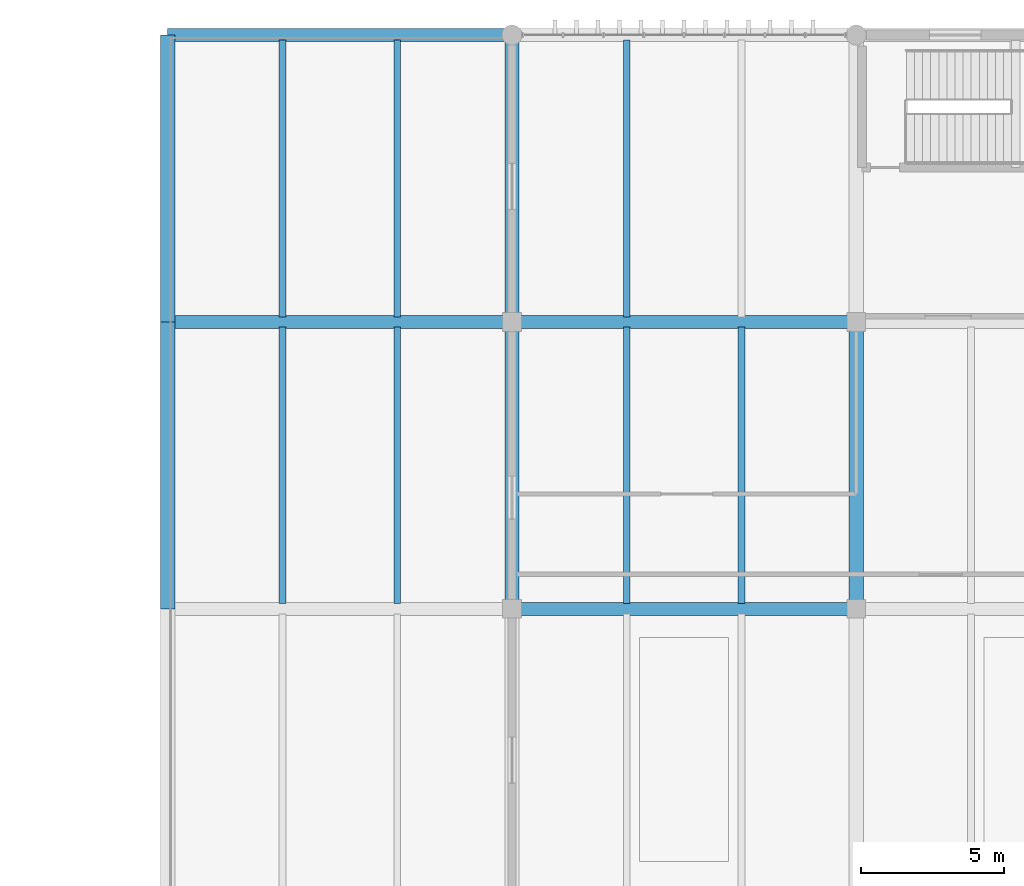
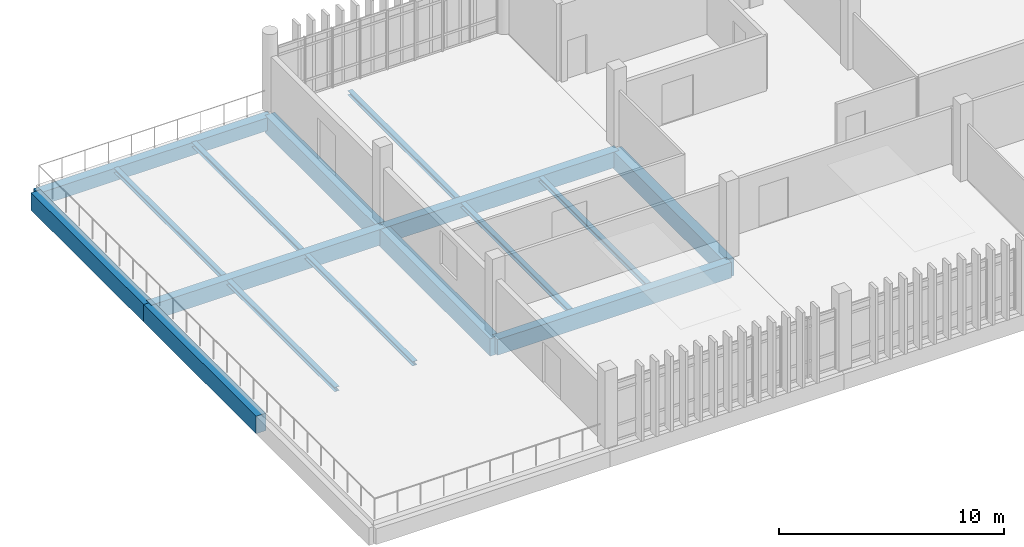
# One storey, part 14 of 82: 16 beams.
"""IFC4 building model written with IfcOpenShell, lengths in metres."""

from ifc_helpers import new_model, si_unit, direction, frame, origin, origin_2d, place, context, subcontext, project, spatial, rectangle, i_section, extrude, material, material_profile, profile_set, type_object, element, save


model = new_model("IFC4")

# Units and contexts
model_context = context("Model", 3, precision=1e-05, world=origin(), true_north=direction((0.0, 1.0)))
body_context = subcontext(model_context, "Body", "Model", "MODEL_VIEW")
ifc_project = project(units=[si_unit("LENGTHUNIT", "METRE"), si_unit("AREAUNIT", "SQUARE_METRE"), si_unit("VOLUMEUNIT", "CUBIC_METRE"), si_unit("PLANEANGLEUNIT", "RADIAN"), si_unit("MASSUNIT", "GRAM", prefix="KILO")], contexts=[model_context])

# Site, building, storey
site_placement = place(None, origin())
site = spatial("IfcSite", under=ifc_project, at=site_placement, CompositionType="ELEMENT")
building_placement = place(site_placement, origin())
building = spatial("IfcBuilding", under=site, at=building_placement, Name="Mersad Railyard Sports Hall", CompositionType="ELEMENT")
storey_placement = place(building_placement, frame((0.0, 0.0, 13.199951171875)))
storey = spatial("IfcBuildingStorey", under=building, at=storey_placement, Name="L03", CompositionType="ELEMENT", Elevation=13.199951171875)

# Beams
ifc_material_1 = material(Name="Concrete C40/50", Category="concrete")
ifc_material_profile_1 = material_profile(ifc_material_1, rectangle(XDim=0.449951171875, YDim=0.85009765625, at=origin_2d()), Name="RC 450x850")
ifc_profile_set_1 = profile_set([ifc_material_profile_1], Name="Concrete C40/50")
beam_type_1 = type_object("IfcBeamType", Name="STR-BM-B02", PredefinedType="BEAM", material=ifc_profile_set_1)
for number, where, z_axis, x_axis, name in (
    (1, (55.0, 95.0, -0.744873046875), (1.0, 0.0, 0.0), (0.0, 1.0, 0.0), "Beam B02-1221"),
    (2, (43.0, 105.0, -0.744873046875), (1.0, 0.0, 0.0), (0.0, 1.0, 0.0), "Beam B02-1228"),
    (3, (55.0, 105.0, -0.744873046875), (1.0, 0.0, 0.0), (0.0, 1.0, 0.0), "Beam B02-1229"),
):
    element("IfcBeam", number, at=place(storey_placement, frame(where, z_axis=z_axis, x_axis=x_axis)), inside=storey, type_object=beam_type_1, Name=name, PredefinedType="BEAM", context=body_context, shape_type="SweptSolid", body=[
        extrude(rectangle(XDim=0.449951171875, YDim=0.85009765625, at=origin_2d()), origin(), (0.0, 0.0, 1.0), 12.0),
    ])
ifc_material_2 = material(Name="Concrete C50/60", Category="concrete")
ifc_material_profile_2 = material_profile(ifc_material_2, rectangle(XDim=0.5, YDim=0.949951171875, at=origin_2d()), Name="RC 500x950")
ifc_profile_set_2 = profile_set([ifc_material_profile_2], Name="Concrete C50/60")
beam_type_2 = type_object("IfcBeamType", Name="STR-BM-B03", PredefinedType="BEAM", material=ifc_profile_set_2)
for number, where, z_axis, x_axis, name in (
    (4, (43.0, 95.0, -0.794921875), (0.0, 1.0, 0.0), (-1.0, 0.0, 0.0), "Beam B03-1245"),
    (5, (43.0, 105.0, -0.794921875), (0.0, 1.0, 0.0), (-1.0, 0.0, 0.0), "Beam B03-1246"),
    (6, (55.0, 95.0, -0.794921875), (0.0, 1.0, 0.0), (-1.0, 0.0, 0.0), "Beam B03-1248"),
    (7, (55.0, 105.0, -0.794921875), (0.0, 1.0, 0.0), (-1.0, 0.0, 0.0), "Beam B03-1249"),
    (8, (67.0, 95.0, -0.794921875), (0.0, 1.0, 0.0), (-1.0, 0.0, 0.0), "Beam B03-1251"),
):
    element("IfcBeam", number, at=place(storey_placement, frame(where, z_axis=z_axis, x_axis=x_axis)), inside=storey, type_object=beam_type_2, Name=name, PredefinedType="BEAM", context=body_context, shape_type="SweptSolid", body=[
        extrude(rectangle(XDim=0.5, YDim=0.949951171875, at=origin_2d()), origin(), (0.0, 0.0, 1.0), 10.0),
    ])
ifc_material_3 = material(Name="Steel S355", Category="steel")
ifc_material_profile_3 = material_profile(ifc_material_3, i_section(OverallWidth=0.239990234375, OverallDepth=0.239990234375, WebThickness=0.010009765625, FlangeThickness=0.01708984375, at=origin_2d()), Name="HEB 240")
ifc_profile_set_3 = profile_set([ifc_material_profile_3], Name="Steel S355")
beam_type_3 = type_object("IfcBeamType", Name="STR-BM-SB04", PredefinedType="BEAM", material=ifc_profile_set_3)
for number, where, z_axis, x_axis, name in (
    (9, (47.0, 95.179931640625, -0.43994140625), (0.0, 1.0, 0.0), (-1.0, 0.0, 0.0), "Beam SB04-1273"),
    (10, (51.0, 95.179931640625, -0.43994140625), (0.0, 1.0, 0.0), (-1.0, 0.0, 0.0), "Beam SB04-1274"),
    (11, (47.0, 105.179931640625, -0.43994140625), (0.0, 1.0, 0.0), (-1.0, 0.0, 0.0), "Beam SB04-1275"),
    (12, (51.0, 105.179931640625, -0.43994140625), (0.0, 1.0, 0.0), (-1.0, 0.0, 0.0), "Beam SB04-1276"),
    (13, (59.0, 95.179931640625, -0.43994140625), (0.0, 1.0, 0.0), (-1.0, 0.0, 0.0), "Beam SB04-1279"),
    (14, (63.0, 95.179931640625, -0.43994140625), (0.0, 1.0, 0.0), (-1.0, 0.0, 0.0), "Beam SB04-1280"),
    (15, (59.0, 105.179931640625, -0.43994140625), (0.0, 1.0, 0.0), (-1.0, 0.0, 0.0), "Beam SB04-1281"),
):
    element("IfcBeam", number, at=place(storey_placement, frame(where, z_axis=z_axis, x_axis=x_axis)), inside=storey, type_object=beam_type_3, Name=name, PredefinedType="BEAM", context=body_context, shape_type="SweptSolid", body=[
        extrude(i_section(OverallWidth=0.239990234375, OverallDepth=0.239990234375, WebThickness=0.010009765625, FlangeThickness=0.01708984375, at=origin_2d()), origin(), (0.0, 0.0, 1.0), 9.64013671875),
    ])
ifc_material_4 = material(Name="Architectural concrete C40/50", Category="concrete")
ifc_material_profile_4 = material_profile(ifc_material_4, rectangle(XDim=0.449951171875, YDim=0.699951171875, at=origin_2d()), Name="RC 450x700")
ifc_profile_set_4 = profile_set([ifc_material_profile_4], Name="Architectural concrete C40/50")
beam_type_4 = type_object("IfcBeamType", Name="STR-BM-SP01", PredefinedType="SPANDREL", material=ifc_profile_set_4)
beam_placement = place(storey_placement, frame((43.0, 115.0, -0.669921875), z_axis=(1.0, 0.0, 0.0), x_axis=(0.0, 1.0, 0.0)))
element("IfcBeam", 16, at=beam_placement, inside=storey, type_object=beam_type_4, Name="Beam SP01-1236", PredefinedType="SPANDREL", context=body_context, shape_type="SweptSolid", body=[
    extrude(rectangle(XDim=0.449951171875, YDim=0.699951171875, at=origin_2d()), origin(), (0.0, 0.0, 1.0), 12.0),
])

save(model, "model.ifc")
